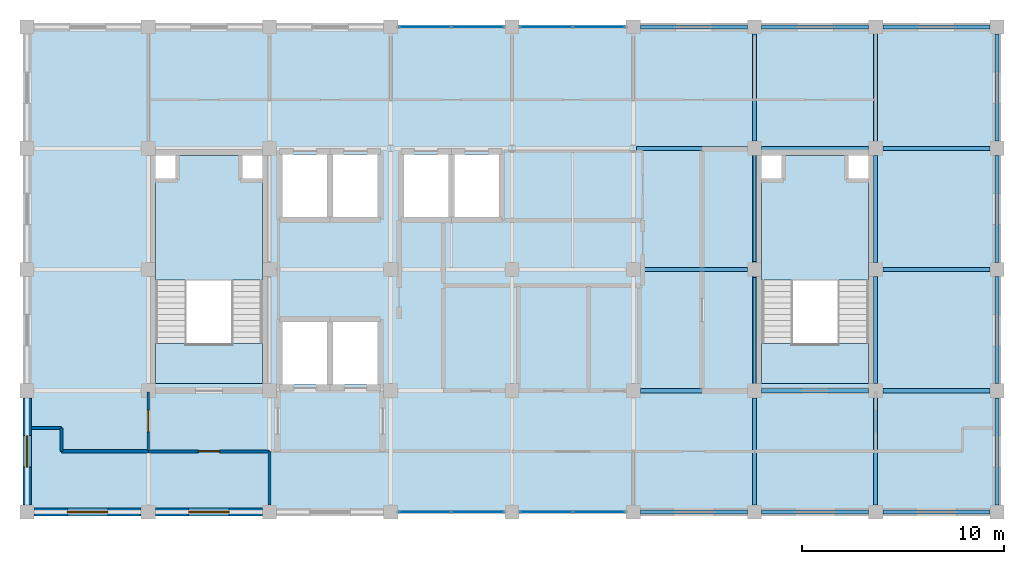
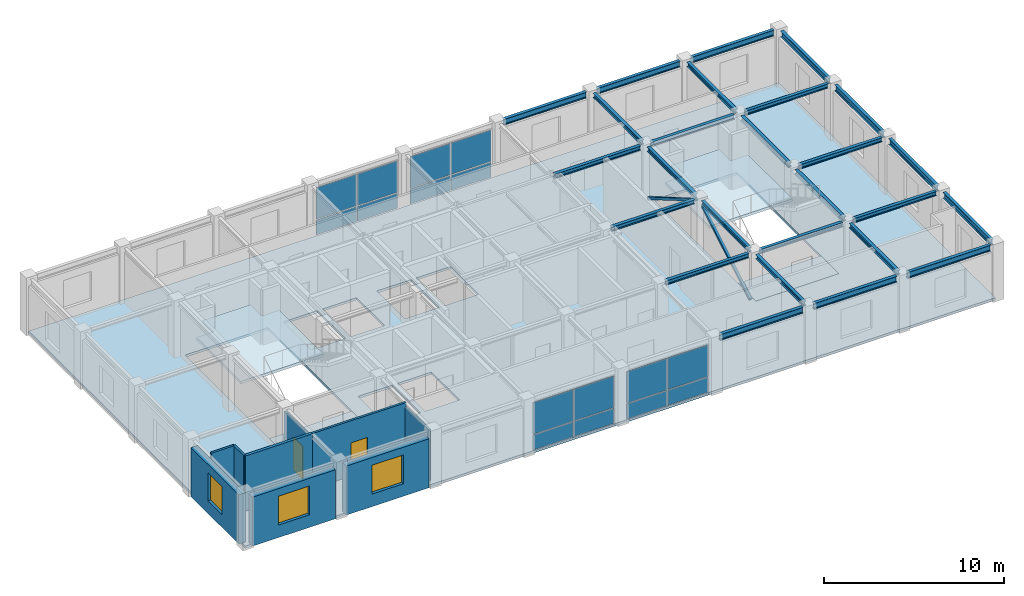
# One storey, part 7 of 11: 26 beams, 16 plates, 9 walls, 5 slabs, 3 windows, 2 doors, 2 members, 5 openings, 6 elements without a shape of their own.
"""IFC4 building model written with IfcOpenShell, lengths in metres."""

import ifcopenshell
import ifcopenshell.guid

model = None  # the IFC model being written
_history = None  # IfcOwnerHistory: only IFC2X3 demands one
_inside = {}  # id of a spatial element -> (the spatial element, [elements in it])
_under = {}  # id of a project, library or spatial element -> (it, [spatial elements below it])
_declared = {}  # id of a project -> (the project, [libraries it declares])
_typed = {}  # id of a type object -> (the type object, [elements of that type])
_made_of = {}  # id of a material, layer set ... -> (it, [elements and type objects made of it])


def new_model(schema):
    """Start an empty IFC model of exactly this schema.

    Asked for "IFC4X3", IfcOpenShell would pick the latest addendum, in which some entities
    have other attributes; the version numbers below select the first issue.
    IFC2X3 requires an IfcOwnerHistory on every rooted entity: one is made here for all.
    """
    global model, _history
    if schema == "IFC4X3":
        model = ifcopenshell.file(schema_version=(4, 3, 0, 0))
    else:
        model = ifcopenshell.file(schema=schema)
    _inside.clear()
    _under.clear()
    _declared.clear()
    _typed.clear()
    _made_of.clear()
    _history = None
    if model.schema == "IFC2X3":
        org = make("IfcOrganization", Name="unknown")
        user = make(
            "IfcPersonAndOrganization",
            ThePerson=make("IfcPerson", FamilyName="unknown"),
            TheOrganization=org,
        )
        app = make(
            "IfcApplication",
            ApplicationDeveloper=org,
            Version="unknown",
            ApplicationFullName="unknown",
            ApplicationIdentifier="unknown",
        )
        _history = make(
            "IfcOwnerHistory",
            OwningUser=user,
            OwningApplication=app,
            ChangeAction="ADDED",
            CreationDate=0,
        )
    return model


def make(cls, **values):
    """One entity of the class cls with the attributes given. An attribute that is None is left unset."""
    return model.create_entity(
        cls, **{name: value for name, value in values.items() if value is not None}
    )


def rooted(cls, **values):
    """An entity with a GlobalId (a new one), such as an element, a storey or a relation."""
    return make(cls, GlobalId=ifcopenshell.guid.new(), OwnerHistory=_history, **values)


def si_unit(unit_type, name, prefix=None):
    """IfcSIUnit, for example si_unit("LENGTHUNIT", "METRE", prefix="MILLI")."""
    return make("IfcSIUnit", UnitType=unit_type, Prefix=prefix, Name=name)


def assignment(units):
    """IfcUnitAssignment: the units of a project."""
    return None if units is None else make("IfcUnitAssignment", Units=units)


def point(xyz):
    """IfcCartesianPoint."""
    return None if xyz is None else make("IfcCartesianPoint", Coordinates=xyz)


def direction(xyz):
    """IfcDirection."""
    return None if xyz is None else make("IfcDirection", DirectionRatios=xyz)


def frame(location, z_axis=None, x_axis=None):
    """IfcAxis2Placement3D, a coordinate frame: its origin and axes. An axis left out is left unset."""
    return make(
        "IfcAxis2Placement3D",
        Location=point(location),
        Axis=direction(z_axis),
        RefDirection=direction(x_axis),
    )


def frame_2d(location, x_axis=None):
    """IfcAxis2Placement2D, a coordinate frame in the plane: its origin and x axis."""
    return make(
        "IfcAxis2Placement2D", Location=point(location), RefDirection=direction(x_axis)
    )


def origin():
    """The frame at (0, 0, 0) with its axes left unset."""
    return frame((0.0, 0.0, 0.0))


def origin_2d():
    """The frame at (0, 0) in the plane with its x axis left unset."""
    return frame_2d((0.0, 0.0))


def place(relative_to, where):
    """IfcLocalPlacement: puts the frame where relative to a parent placement (None: the world)."""
    return make(
        "IfcLocalPlacement", PlacementRelTo=relative_to, RelativePlacement=where
    )


def context(
    kind, dimensions, precision=None, world=None, true_north=None, identifier=None
):
    """IfcGeometricRepresentationContext, for example the 3D "Model" context."""
    return make(
        "IfcGeometricRepresentationContext",
        ContextIdentifier=identifier,
        ContextType=kind,
        CoordinateSpaceDimension=dimensions,
        Precision=precision,
        WorldCoordinateSystem=world,
        TrueNorth=true_north,
    )


def subcontext(parent, identifier, kind, view, scale=None):
    """IfcGeometricRepresentationSubContext, for example "Body" below "Model"."""
    return make(
        "IfcGeometricRepresentationSubContext",
        ContextIdentifier=identifier,
        ContextType=kind,
        ParentContext=parent,
        TargetScale=scale,
        TargetView=view,
    )


def project(units=None, contexts=None):
    """IfcProject with its units and contexts."""
    return rooted(
        "IfcProject",
        Name="project",
        RepresentationContexts=contexts,
        UnitsInContext=assignment(units),
    )


def spatial(cls, under=None, at=None, **own):
    """A site, building, storey or space (cls), placed at a placement, below another one or the project."""
    s = rooted(cls, ObjectPlacement=at, **own)
    if under is not None:
        _under.setdefault(under.id(), (under, []))[1].append(s)
    return s


def polyline(points):
    """IfcPolyline through the points."""
    return make("IfcPolyline", Points=[point(p) for p in points])


def profile(cls, at=None, kind="AREA", **sizes):
    """A parametric profile (cls). Its sizes go by their IFC names, for example OverallWidth=200.0."""
    return make(cls, ProfileType=kind, Position=at, **sizes)


def rectangle(**sizes):
    """IfcRectangleProfileDef."""
    return profile("IfcRectangleProfileDef", **sizes)


def hollow_rectangle(**sizes):
    """IfcRectangleHollowProfileDef."""
    return profile("IfcRectangleHollowProfileDef", **sizes)


def i_section(**sizes):
    """IfcIShapeProfileDef."""
    return profile("IfcIShapeProfileDef", **sizes)


def outline(outer, holes=None, kind="AREA"):
    """IfcArbitraryClosedProfileDef: a profile drawn as a closed curve; with holes, ...WithVoids."""
    if holes is None:
        return make("IfcArbitraryClosedProfileDef", ProfileType=kind, OuterCurve=outer)
    return make(
        "IfcArbitraryProfileDefWithVoids",
        ProfileType=kind,
        OuterCurve=outer,
        InnerCurves=holes,
    )


def extrude(swept, where, along, depth):
    """IfcExtrudedAreaSolid: the profile swept, set in the frame where, extruded along a direction by depth."""
    return make(
        "IfcExtrudedAreaSolid",
        SweptArea=swept,
        Position=where,
        ExtrudedDirection=direction(along),
        Depth=depth,
    )


def shape(context_of_items, identifier, shape_type, items):
    """IfcShapeRepresentation: the items that make up one representation, for example the "Body"."""
    return make(
        "IfcShapeRepresentation",
        ContextOfItems=context_of_items,
        RepresentationIdentifier=identifier,
        RepresentationType=shape_type,
        Items=items,
    )


def material(Name=None, Category=None):
    """IfcMaterial."""
    return make("IfcMaterial", Name=Name, Category=Category)


def layer(
    of_material, thickness, ventilated=None, Name=None, Category=None, Priority=None
):
    """IfcMaterialLayer: one layer of a wall or slab, of a material (None: an air gap)."""
    return make(
        "IfcMaterialLayer",
        Material=of_material,
        LayerThickness=thickness,
        IsVentilated=ventilated,
        Name=Name,
        Category=Category,
        Priority=Priority,
    )


def layer_set(layers, Name=None):
    """IfcMaterialLayerSet."""
    return make("IfcMaterialLayerSet", MaterialLayers=layers, LayerSetName=Name)


def material_profile(
    of_material, cross_section, Name=None, Category=None, Priority=None
):
    """IfcMaterialProfile: a cross section and its material."""
    return make(
        "IfcMaterialProfile",
        Name=Name,
        Material=of_material,
        Profile=cross_section,
        Priority=Priority,
        Category=Category,
    )


def profile_set(profiles, Name=None, composite=None):
    """IfcMaterialProfileSet."""
    return make(
        "IfcMaterialProfileSet",
        Name=Name,
        MaterialProfiles=profiles,
        CompositeProfile=composite,
    )


def made_of(thing, what):
    """Note that an element or type object is made of a material, layer set ...; save() writes the relation."""
    if what is not None:
        _made_of.setdefault(what.id(), (what, []))[1].append(thing)
    return thing


def type_object(cls, material=None, **own):
    """A type object (cls), such as IfcWallType, which elements share."""
    return made_of(rooted(cls, **own), material)


def element(
    cls,
    number,
    at=None,
    inside=None,
    cuts=None,
    type_object=None,
    material=None,
    context=None,
    identifier="Body",
    shape_type=None,
    held_by="IfcProductDefinitionShape",
    body=None,
    shapes=None,
    **own,
):
    """One element of the class cls, such as IfcWall. Its Tag is "e" and its number.

    at: its placement. inside: the storey or other place that contains it. cuts: it is an
    opening in that element (IfcRelVoidsElement). A single representation is given by context,
    identifier, shape_type and body (its items); several are given by shapes. held_by: the class
    of the entity that holds the representations. save() writes the other relations.
    """
    e = rooted(cls, Tag="e%d" % number, ObjectPlacement=at, **own)
    if body is not None:
        shapes = [shape(context, identifier, shape_type, body)]
    if shapes is not None:
        e.Representation = make(held_by, Representations=shapes)
    if inside is not None:
        _inside.setdefault(inside.id(), (inside, []))[1].append(e)
    if cuts is not None:
        rooted(
            "IfcRelVoidsElement", RelatingBuildingElement=cuts, RelatedOpeningElement=e
        )
    if type_object is not None:
        _typed.setdefault(type_object.id(), (type_object, []))[1].append(e)
    return made_of(e, material)


def fill(opening, filler):
    """IfcRelFillsElement: the door or window that sits in an opening."""
    return rooted(
        "IfcRelFillsElement",
        RelatingOpeningElement=opening,
        RelatedBuildingElement=filler,
    )


def aggregate(whole, parts):
    """IfcRelAggregates: a whole, such as a stair, and the parts it consists of."""
    return rooted("IfcRelAggregates", RelatingObject=whole, RelatedObjects=parts)


def save(model, path):
    """Write the relations noted so far, then the file.

    IfcRelAggregates (storeys below a building ...), IfcRelContainedInSpatialStructure (elements
    in a storey), IfcRelDefinesByType, IfcRelAssociatesMaterial and IfcRelDeclares: one each for
    every whole, place, type object, material and project.
    """
    for whole, parts in _under.values():
        aggregate(whole, parts)
    for where, things in _inside.values():
        rooted(
            "IfcRelContainedInSpatialStructure",
            RelatedElements=things,
            RelatingStructure=where,
        )
    for kind, things in _typed.values():
        rooted("IfcRelDefinesByType", RelatedObjects=things, RelatingType=kind)
    for what, things in _made_of.values():
        rooted("IfcRelAssociatesMaterial", RelatedObjects=things, RelatingMaterial=what)
    for by, libraries in _declared.values():
        rooted("IfcRelDeclares", RelatingContext=by, RelatedDefinitions=libraries)
    model.write(path)


model = new_model("IFC4")

# Units and contexts
model_context = context("Model", 3, precision=1e-05, world=origin(), true_north=direction((0.0, 1.0)))
body_context = subcontext(model_context, "Body", "Model", "MODEL_VIEW")
ifc_project = project(units=[si_unit("LENGTHUNIT", "METRE"), si_unit("AREAUNIT", "SQUARE_METRE"), si_unit("VOLUMEUNIT", "CUBIC_METRE"), si_unit("PLANEANGLEUNIT", "RADIAN"), si_unit("MASSUNIT", "GRAM", prefix="KILO")], contexts=[model_context])

# Site, building, storey
site_placement = place(None, origin())
site = spatial("IfcSite", under=ifc_project, at=site_placement, CompositionType="ELEMENT")
building_placement = place(site_placement, origin())
building = spatial("IfcBuilding", under=site, at=building_placement, Name="Zlatovratsky Civic Hall", CompositionType="ELEMENT")
storey_placement = place(building_placement, frame((0.0, 0.0, 60.0)))
storey = spatial("IfcBuildingStorey", under=building, at=storey_placement, Name="L15", CompositionType="ELEMENT", Elevation=60.0)

# Beams
ifc_material_1 = material(Name="Steel S355", Category="steel")
ifc_material_profile_1 = material_profile(ifc_material_1, i_section(OverallWidth=0.199951171875, OverallDepth=0.39990234375, WebThickness=0.008056640625, FlangeThickness=0.012939453125, FilletRadius=0.014892578125, at=origin_2d()), Name="40B2")
ifc_profile_set_1 = profile_set([ifc_material_profile_1], Name="Steel S355")
beam_type_1 = type_object("IfcBeamType", Name="Beam_Spandrel_40B2", PredefinedType="SPANDREL", material=ifc_profile_set_1)
for number, where, z_axis, x_axis, name in (
    (1, (90.35009765625, 78.0, 3.5400390625), (1.0, 0.0, 0.0), (0.0, 1.0, 0.0), "BM-5046"),
    (2, (96.35009765625, 78.0, 3.5400390625), (1.0, 0.0, 0.0), (0.0, 1.0, 0.0), "BM-5047"),
    (3, (102.35009765625, 78.0, 3.5400390625), (1.0, 0.0, 0.0), (0.0, 1.0, 0.0), "BM-5048"),
    (4, (90.35009765625, 102.0, 3.5400390625), (1.0, 0.0, 0.0), (0.0, 1.0, 0.0), "BM-5076"),
    (5, (96.35009765625, 102.0, 3.5400390625), (1.0, 0.0, 0.0), (0.0, 1.0, 0.0), "BM-5077"),
    (6, (102.35009765625, 102.0, 3.5400390625), (1.0, 0.0, 0.0), (0.0, 1.0, 0.0), "BM-5078"),
    (7, (108.0, 78.35009765625, 3.5400390625), (0.0, 1.0, 0.0), (-1.0, 0.0, 0.0), "BM-5111"),
    (8, (108.0, 84.35009765625, 3.5400390625), (0.0, 1.0, 0.0), (-1.0, 0.0, 0.0), "BM-5112"),
    (9, (108.0, 90.35009765625, 3.5400390625), (0.0, 1.0, 0.0), (-1.0, 0.0, 0.0), "BM-5113"),
    (10, (108.0, 96.35009765625, 3.5400390625), (0.0, 1.0, 0.0), (-1.0, 0.0, 0.0), "BM-5114"),
):
    element("IfcBeam", number, at=place(storey_placement, frame(where, z_axis=z_axis, x_axis=x_axis)), inside=storey, type_object=beam_type_1, Name=name, PredefinedType="SPANDREL", context=body_context, shape_type="SweptSolid", body=[
        extrude(i_section(OverallWidth=0.199951171875, OverallDepth=0.39990234375, WebThickness=0.008056640625, FlangeThickness=0.012939453125, FilletRadius=0.014892578125, at=origin_2d()), origin(), (0.0, 0.0, 1.0), 5.2998046875),
    ])
ifc_material_profile_2 = material_profile(ifc_material_1, i_section(OverallWidth=0.199951171875, OverallDepth=0.291015625, WebThickness=0.008056640625, FlangeThickness=0.010986328125, FilletRadius=0.01806640625, at=origin_2d()), Name="30Sh1")
ifc_profile_set_2 = profile_set([ifc_material_profile_2], Name="Steel S355")
beam_type_2 = type_object("IfcBeamType", Name="Beam_TowerHigh_30Sh1", PredefinedType="BEAM", material=ifc_profile_set_2)
for number, where, z_axis, x_axis, name in (
    (11, (90.35009765625, 84.0, 3.594482421875), (1.0, 0.0, 0.0), (0.0, 1.0, 0.0), "BM-5054"),
    (12, (96.35009765625, 84.0, 3.594482421875), (1.0, 0.0, 0.0), (0.0, 1.0, 0.0), "BM-5055"),
    (13, (102.35009765625, 84.0, 3.594482421875), (1.0, 0.0, 0.0), (0.0, 1.0, 0.0), "BM-5056"),
    (14, (90.35009765625, 90.0, 3.594482421875), (1.0, 0.0, 0.0), (0.0, 1.0, 0.0), "BM-5061"),
    (15, (102.35009765625, 90.0, 3.594482421875), (1.0, 0.0, 0.0), (0.0, 1.0, 0.0), "BM-5062"),
):
    element("IfcBeam", number, at=place(storey_placement, frame(where, z_axis=z_axis, x_axis=x_axis)), inside=storey, type_object=beam_type_2, Name=name, PredefinedType="BEAM", context=body_context, shape_type="SweptSolid", body=[
        extrude(i_section(OverallWidth=0.199951171875, OverallDepth=0.291015625, WebThickness=0.008056640625, FlangeThickness=0.010986328125, FilletRadius=0.01806640625, at=origin_2d()), origin(), (0.0, 0.0, 1.0), 5.2998046875),
    ])
beam_placement = place(storey_placement, frame((90.1494140625, 96.0, 3.594482421875), z_axis=(1.0, 0.0, 0.0), x_axis=(0.0, 1.0, 0.0)))
element("IfcBeam", 16, at=beam_placement, inside=storey, type_object=beam_type_2, Name="BM-5068", PredefinedType="BEAM", context=body_context, shape_type="SweptSolid", body=[
    extrude(i_section(OverallWidth=0.199951171875, OverallDepth=0.291015625, WebThickness=0.008056640625, FlangeThickness=0.010986328125, FilletRadius=0.01806640625, at=origin_2d()), origin(), (0.0, 0.0, 1.0), 5.50048828125),
])
for number, where, z_axis, x_axis, name in (
    (17, (96.35009765625, 96.0, 3.594482421875), (1.0, 0.0, 0.0), (0.0, 1.0, 0.0), "BM-5069"),
    (18, (102.35009765625, 96.0, 3.594482421875), (1.0, 0.0, 0.0), (0.0, 1.0, 0.0), "BM-5070"),
    (19, (96.0, 78.35009765625, 3.594482421875), (0.0, 1.0, 0.0), (-1.0, 0.0, 0.0), "BM-5103"),
    (20, (96.0, 84.35009765625, 3.594482421875), (0.0, 1.0, 0.0), (-1.0, 0.0, 0.0), "BM-5104"),
    (21, (96.0, 90.35009765625, 3.594482421875), (0.0, 1.0, 0.0), (-1.0, 0.0, 0.0), "BM-5105"),
    (22, (96.0, 96.35009765625, 3.594482421875), (0.0, 1.0, 0.0), (-1.0, 0.0, 0.0), "BM-5106"),
    (23, (102.0, 78.35009765625, 3.594482421875), (0.0, 1.0, 0.0), (-1.0, 0.0, 0.0), "BM-5107"),
    (24, (102.0, 84.35009765625, 3.594482421875), (0.0, 1.0, 0.0), (-1.0, 0.0, 0.0), "BM-5108"),
    (25, (102.0, 90.35009765625, 3.594482421875), (0.0, 1.0, 0.0), (-1.0, 0.0, 0.0), "BM-5109"),
    (26, (102.0, 96.35009765625, 3.594482421875), (0.0, 1.0, 0.0), (-1.0, 0.0, 0.0), "BM-5110"),
):
    element("IfcBeam", number, at=place(storey_placement, frame(where, z_axis=z_axis, x_axis=x_axis)), inside=storey, type_object=beam_type_2, Name=name, PredefinedType="BEAM", context=body_context, shape_type="SweptSolid", body=[
        extrude(i_section(OverallWidth=0.199951171875, OverallDepth=0.291015625, WebThickness=0.008056640625, FlangeThickness=0.010986328125, FilletRadius=0.01806640625, at=origin_2d()), origin(), (0.0, 0.0, 1.0), 5.2998046875),
    ])

# Members
ifc_material_profile_3 = material_profile(ifc_material_1, hollow_rectangle(XDim=0.159912109375, YDim=0.159912109375, WallThickness=0.008056640625, at=origin_2d()), Name="SHS 160x160x8")
ifc_profile_set_3 = profile_set([ifc_material_profile_3], Name="Steel S355")
member_type = type_object("IfcMemberType", Name="Brace_TowerHigh_SHS160", PredefinedType="BRACE", material=ifc_profile_set_3)
for number, where, z_axis, x_axis, name in (
    (27, (96.0, 84.35009765625, 0.25), (0.0, 0.863172562464, 0.504909028845), (-1.0, 0.0, 0.0), "MB-0166"),
    (28, (96.0, 90.35009765625, 3.35009765625), (0.0, 0.863172562464, -0.504909028845), (-1.0, 0.0, 0.0), "MB-0167"),
):
    element("IfcMember", number, at=place(storey_placement, frame(where, z_axis=z_axis, x_axis=x_axis)), inside=storey, type_object=member_type, Name=name, PredefinedType="BRACE", context=body_context, shape_type="SweptSolid", body=[
        extrude(hollow_rectangle(XDim=0.159912109375, YDim=0.159912109375, WallThickness=0.008056640625, at=origin_2d()), origin(), (0.0, 0.0, 1.0), 6.139892578125),
    ])

# Curtain wall, plates
ifc_material_2 = material(Name="Anodised bronze aluminium", Category="aluminium")
ifc_layer_1 = layer(ifc_material_2, 0.159912109375)
ifc_layer_set_1 = layer_set([ifc_layer_1], Name="Anodised bronze aluminium")
curtain_wall_type = type_object("IfcCurtainWallType", Name="CurtainWall_Bronze_5300x3320_21", PredefinedType="NOTDEFINED", material=ifc_layer_set_1)
curtain_wall_1_placement = place(storey_placement, origin())
curtain_wall_1 = element("IfcCurtainWall", 29, at=curtain_wall_1_placement, inside=storey, type_object=curtain_wall_type, Name="CW-169", PredefinedType="NOTDEFINED")
ifc_material_3 = material(Name="Solar-control triple glazing", Category="glass")
ifc_layer_2 = layer(ifc_material_3, 0.028076171875)
ifc_layer_set_2 = layer_set([ifc_layer_2], Name="Solar-control triple glazing")
plate_type = type_object("IfcPlateType", Name="Panel_TowerTripleGlazing_28", PredefinedType="CURTAIN_PANEL", material=ifc_layer_set_2)
plate_1_placement = place(storey_placement, frame((79.68994140625, 78.0, 0.06005859375), z_axis=(0.0, 0.0, 1.0), x_axis=(1.0, 0.0, 0.0)))
plate_1 = element("IfcPlate", 30, at=plate_1_placement, type_object=plate_type, Name="CW-21 panel 1.1", PredefinedType="CURTAIN_PANEL", context=body_context, shape_type="SweptSolid", body=[
    extrude(rectangle(XDim=2.56005859375, YDim=0.028076171875, at=origin_2d()), origin(), (0.0, 0.0, 1.0), 1.010009765625),
])
plate_2_placement = place(storey_placement, frame((79.68994140625, 78.0, 1.130126953125), z_axis=(0.0, 0.0, 1.0), x_axis=(1.0, 0.0, 0.0)))
plate_2 = element("IfcPlate", 31, at=plate_2_placement, type_object=plate_type, Name="CW-21 panel 1.2", PredefinedType="CURTAIN_PANEL", context=body_context, shape_type="SweptSolid", body=[
    extrude(rectangle(XDim=2.56005859375, YDim=0.028076171875, at=origin_2d()), origin(), (0.0, 0.0, 1.0), 2.1298828125),
])
plate_3_placement = place(storey_placement, frame((82.31005859375, 78.0, 0.06005859375), z_axis=(0.0, 0.0, 1.0), x_axis=(1.0, 0.0, 0.0)))
plate_3 = element("IfcPlate", 32, at=plate_3_placement, type_object=plate_type, Name="CW-21 panel 2.1", PredefinedType="CURTAIN_PANEL", context=body_context, shape_type="SweptSolid", body=[
    extrude(rectangle(XDim=2.56005859375, YDim=0.028076171875, at=origin_2d()), origin(), (0.0, 0.0, 1.0), 1.010009765625),
])
plate_4_placement = place(storey_placement, frame((82.31005859375, 78.0, 1.130126953125), z_axis=(0.0, 0.0, 1.0), x_axis=(1.0, 0.0, 0.0)))
plate_4 = element("IfcPlate", 33, at=plate_4_placement, type_object=plate_type, Name="CW-21 panel 2.2", PredefinedType="CURTAIN_PANEL", context=body_context, shape_type="SweptSolid", body=[
    extrude(rectangle(XDim=2.56005859375, YDim=0.028076171875, at=origin_2d()), origin(), (0.0, 0.0, 1.0), 2.1298828125),
])
aggregate(curtain_wall_1, [plate_1, plate_2, plate_3, plate_4])

curtain_wall_2_placement = place(storey_placement, origin())
curtain_wall_2 = element("IfcCurtainWall", 34, at=curtain_wall_2_placement, inside=storey, type_object=curtain_wall_type, Name="CW-170", PredefinedType="NOTDEFINED")
plate_5_placement = place(storey_placement, frame((85.68994140625, 78.0, 0.06005859375), z_axis=(0.0, 0.0, 1.0), x_axis=(1.0, 0.0, 0.0)))
plate_5 = element("IfcPlate", 35, at=plate_5_placement, type_object=plate_type, Name="CW-21 panel 1.1", PredefinedType="CURTAIN_PANEL", context=body_context, shape_type="SweptSolid", body=[
    extrude(rectangle(XDim=2.56005859375, YDim=0.028076171875, at=origin_2d()), origin(), (0.0, 0.0, 1.0), 1.010009765625),
])
plate_6_placement = place(storey_placement, frame((85.68994140625, 78.0, 1.130126953125), z_axis=(0.0, 0.0, 1.0), x_axis=(1.0, 0.0, 0.0)))
plate_6 = element("IfcPlate", 36, at=plate_6_placement, type_object=plate_type, Name="CW-21 panel 1.2", PredefinedType="CURTAIN_PANEL", context=body_context, shape_type="SweptSolid", body=[
    extrude(rectangle(XDim=2.56005859375, YDim=0.028076171875, at=origin_2d()), origin(), (0.0, 0.0, 1.0), 2.1298828125),
])
plate_7_placement = place(storey_placement, frame((88.31005859375, 78.0, 0.06005859375), z_axis=(0.0, 0.0, 1.0), x_axis=(1.0, 0.0, 0.0)))
plate_7 = element("IfcPlate", 37, at=plate_7_placement, type_object=plate_type, Name="CW-21 panel 2.1", PredefinedType="CURTAIN_PANEL", context=body_context, shape_type="SweptSolid", body=[
    extrude(rectangle(XDim=2.56005859375, YDim=0.028076171875, at=origin_2d()), origin(), (0.0, 0.0, 1.0), 1.010009765625),
])
plate_8_placement = place(storey_placement, frame((88.31005859375, 78.0, 1.130126953125), z_axis=(0.0, 0.0, 1.0), x_axis=(1.0, 0.0, 0.0)))
plate_8 = element("IfcPlate", 38, at=plate_8_placement, type_object=plate_type, Name="CW-21 panel 2.2", PredefinedType="CURTAIN_PANEL", context=body_context, shape_type="SweptSolid", body=[
    extrude(rectangle(XDim=2.56005859375, YDim=0.028076171875, at=origin_2d()), origin(), (0.0, 0.0, 1.0), 2.1298828125),
])
aggregate(curtain_wall_2, [plate_5, plate_6, plate_7, plate_8])

curtain_wall_3_placement = place(storey_placement, origin())
curtain_wall_3 = element("IfcCurtainWall", 39, at=curtain_wall_3_placement, inside=storey, type_object=curtain_wall_type, Name="CW-171", PredefinedType="NOTDEFINED")
plate_9_placement = place(storey_placement, frame((79.68994140625, 102.0, 0.06005859375), z_axis=(0.0, 0.0, 1.0), x_axis=(1.0, 0.0, 0.0)))
plate_9 = element("IfcPlate", 40, at=plate_9_placement, type_object=plate_type, Name="CW-21 panel 1.1", PredefinedType="CURTAIN_PANEL", context=body_context, shape_type="SweptSolid", body=[
    extrude(rectangle(XDim=2.56005859375, YDim=0.028076171875, at=origin_2d()), origin(), (0.0, 0.0, 1.0), 1.010009765625),
])
plate_10_placement = place(storey_placement, frame((79.68994140625, 102.0, 1.130126953125), z_axis=(0.0, 0.0, 1.0), x_axis=(1.0, 0.0, 0.0)))
plate_10 = element("IfcPlate", 41, at=plate_10_placement, type_object=plate_type, Name="CW-21 panel 1.2", PredefinedType="CURTAIN_PANEL", context=body_context, shape_type="SweptSolid", body=[
    extrude(rectangle(XDim=2.56005859375, YDim=0.028076171875, at=origin_2d()), origin(), (0.0, 0.0, 1.0), 2.1298828125),
])
plate_11_placement = place(storey_placement, frame((82.31005859375, 102.0, 0.06005859375), z_axis=(0.0, 0.0, 1.0), x_axis=(1.0, 0.0, 0.0)))
plate_11 = element("IfcPlate", 42, at=plate_11_placement, type_object=plate_type, Name="CW-21 panel 2.1", PredefinedType="CURTAIN_PANEL", context=body_context, shape_type="SweptSolid", body=[
    extrude(rectangle(XDim=2.56005859375, YDim=0.028076171875, at=origin_2d()), origin(), (0.0, 0.0, 1.0), 1.010009765625),
])
plate_12_placement = place(storey_placement, frame((82.31005859375, 102.0, 1.130126953125), z_axis=(0.0, 0.0, 1.0), x_axis=(1.0, 0.0, 0.0)))
plate_12 = element("IfcPlate", 43, at=plate_12_placement, type_object=plate_type, Name="CW-21 panel 2.2", PredefinedType="CURTAIN_PANEL", context=body_context, shape_type="SweptSolid", body=[
    extrude(rectangle(XDim=2.56005859375, YDim=0.028076171875, at=origin_2d()), origin(), (0.0, 0.0, 1.0), 2.1298828125),
])
aggregate(curtain_wall_3, [plate_9, plate_10, plate_11, plate_12])

curtain_wall_4_placement = place(storey_placement, origin())
curtain_wall_4 = element("IfcCurtainWall", 44, at=curtain_wall_4_placement, inside=storey, type_object=curtain_wall_type, Name="CW-172", PredefinedType="NOTDEFINED")
plate_13_placement = place(storey_placement, frame((85.68994140625, 102.0, 0.06005859375), z_axis=(0.0, 0.0, 1.0), x_axis=(1.0, 0.0, 0.0)))
plate_13 = element("IfcPlate", 45, at=plate_13_placement, type_object=plate_type, Name="CW-21 panel 1.1", PredefinedType="CURTAIN_PANEL", context=body_context, shape_type="SweptSolid", body=[
    extrude(rectangle(XDim=2.56005859375, YDim=0.028076171875, at=origin_2d()), origin(), (0.0, 0.0, 1.0), 1.010009765625),
])
plate_14_placement = place(storey_placement, frame((85.68994140625, 102.0, 1.130126953125), z_axis=(0.0, 0.0, 1.0), x_axis=(1.0, 0.0, 0.0)))
plate_14 = element("IfcPlate", 46, at=plate_14_placement, type_object=plate_type, Name="CW-21 panel 1.2", PredefinedType="CURTAIN_PANEL", context=body_context, shape_type="SweptSolid", body=[
    extrude(rectangle(XDim=2.56005859375, YDim=0.028076171875, at=origin_2d()), origin(), (0.0, 0.0, 1.0), 2.1298828125),
])
plate_15_placement = place(storey_placement, frame((88.31005859375, 102.0, 0.06005859375), z_axis=(0.0, 0.0, 1.0), x_axis=(1.0, 0.0, 0.0)))
plate_15 = element("IfcPlate", 47, at=plate_15_placement, type_object=plate_type, Name="CW-21 panel 2.1", PredefinedType="CURTAIN_PANEL", context=body_context, shape_type="SweptSolid", body=[
    extrude(rectangle(XDim=2.56005859375, YDim=0.028076171875, at=origin_2d()), origin(), (0.0, 0.0, 1.0), 1.010009765625),
])
plate_16_placement = place(storey_placement, frame((88.31005859375, 102.0, 1.130126953125), z_axis=(0.0, 0.0, 1.0), x_axis=(1.0, 0.0, 0.0)))
plate_16 = element("IfcPlate", 48, at=plate_16_placement, type_object=plate_type, Name="CW-21 panel 2.2", PredefinedType="CURTAIN_PANEL", context=body_context, shape_type="SweptSolid", body=[
    extrude(rectangle(XDim=2.56005859375, YDim=0.028076171875, at=origin_2d()), origin(), (0.0, 0.0, 1.0), 2.1298828125),
])
aggregate(curtain_wall_4, [plate_13, plate_14, plate_15, plate_16])

# Slabs
ifc_material_4 = material(Name="Concrete C30/37 (B35)", Category="concrete")
ifc_layer_3 = layer(ifc_material_4, 0.239990234375)
ifc_layer_set_3 = layer_set([ifc_layer_3], Name="Concrete C30/37 (B35)")
slab_type_1 = type_object("IfcSlabType", Name="Slab_CivicPodiumFloor_240", PredefinedType="FLOOR", material=ifc_layer_set_3)
slab_1_placement = place(storey_placement, frame((0.0, 0.0, -0.239990234375)))
element("IfcSlab", 49, at=slab_1_placement, inside=storey, type_object=slab_type_1, Name="SL-081", PredefinedType="FLOOR", context=body_context, shape_type="SweptSolid", body=[
    extrude(outline(polyline([(66.35009765625, 84.35009765625), (71.64990234375, 84.35009765625), (71.64990234375, 86.35009765625), (66.35009765625, 86.35009765625), (66.35009765625, 84.35009765625)])), origin(), (0.0, 0.0, 1.0), 0.239990234375),
])
slab_2_placement = place(storey_placement, frame((0.0, 0.0, -0.239990234375)))
element("IfcSlab", 50, at=slab_2_placement, inside=storey, type_object=slab_type_1, Name="SL-082", PredefinedType="FLOOR", context=body_context, shape_type="SweptSolid", body=[
    extrude(outline(polyline([(96.35009765625, 84.35009765625), (101.64990234375, 84.35009765625), (101.64990234375, 86.35009765625), (96.35009765625, 86.35009765625), (96.35009765625, 84.35009765625)])), origin(), (0.0, 0.0, 1.0), 0.239990234375),
])

# Stair, slab
stair_type = type_object("IfcStairType", Name="Stair_HALF_24R_1550W_04", PredefinedType="HALF_TURN_STAIR", material=ifc_material_4)
stair_1_placement = place(storey_placement, origin())
stair_1 = element("IfcStair", 51, at=stair_1_placement, inside=storey, type_object=stair_type, Name="ST-016", PredefinedType="HALF_TURN_STAIR")
ifc_layer_4 = layer(ifc_material_4, 0.179931640625)
ifc_layer_set_4 = layer_set([ifc_layer_4], Name="Concrete C30/37 (B35)")
slab_type_2 = type_object("IfcSlabType", Name="Slab_StairLanding_180", PredefinedType="LANDING", material=ifc_layer_set_4)
slab_3_placement = place(storey_placement, frame((0.0, 0.0, 1.77001953125)))
slab_3 = element("IfcSlab", 52, at=slab_3_placement, type_object=slab_type_2, Name="SL-LD-16", PredefinedType="LANDING", context=body_context, shape_type="SweptSolid", body=[
    extrude(outline(polyline([(66.35009765625, 89.485107421875), (71.64990234375, 89.485107421875), (71.64990234375, 94.39990234375), (70.550048828125, 94.39990234375), (70.550048828125, 95.64990234375), (67.449951171875, 95.64990234375), (67.449951171875, 94.39990234375), (66.35009765625, 94.39990234375), (66.35009765625, 89.485107421875)])), origin(), (0.0, 0.0, 1.0), 0.179931640625),
])
aggregate(stair_1, [slab_3])

stair_2_placement = place(storey_placement, origin())
stair_2 = element("IfcStair", 53, at=stair_2_placement, inside=storey, type_object=stair_type, Name="ST-035", PredefinedType="HALF_TURN_STAIR")
slab_4_placement = place(storey_placement, frame((0.0, 0.0, 1.77001953125)))
slab_4 = element("IfcSlab", 54, at=slab_4_placement, type_object=slab_type_2, Name="SL-LD-35", PredefinedType="LANDING", context=body_context, shape_type="SweptSolid", body=[
    extrude(outline(polyline([(96.35009765625, 89.485107421875), (101.64990234375, 89.485107421875), (101.64990234375, 94.39990234375), (100.550048828125, 94.39990234375), (100.550048828125, 95.64990234375), (97.449951171875, 95.64990234375), (97.449951171875, 94.39990234375), (96.35009765625, 94.39990234375), (96.35009765625, 89.485107421875)])), origin(), (0.0, 0.0, 1.0), 0.179931640625),
])
aggregate(stair_2, [slab_4])

# Slab
ifc_layer_5 = layer(ifc_material_4, 0.159912109375)
ifc_layer_set_5 = layer_set([ifc_layer_5], Name="Concrete C30/37 (B35)")
slab_type_3 = type_object("IfcSlabType", Name="Slab_TowerCompositeFloor_160", PredefinedType="FLOOR", material=ifc_layer_set_5)
slab_5_placement = place(storey_placement, frame((0.0, 0.0, -0.159912109375)))
element("IfcSlab", 55, at=slab_5_placement, inside=storey, type_object=slab_type_3, Name="SL-080", PredefinedType="FLOOR", context=body_context, shape_type="SweptSolid", body=[
    extrude(outline(polyline([(60.0, 78.0), (108.0, 78.0), (108.0, 102.0), (60.0, 102.0), (60.0, 78.0)]), holes=[polyline([(66.35009765625, 84.35009765625), (71.64990234375, 84.35009765625), (71.64990234375, 95.64990234375), (66.35009765625, 95.64990234375), (66.35009765625, 84.35009765625)]), polyline([(96.35009765625, 84.35009765625), (101.64990234375, 84.35009765625), (101.64990234375, 95.64990234375), (96.35009765625, 95.64990234375), (96.35009765625, 84.35009765625)]), polyline([(72.64990234375, 84.300048828125), (74.85009765625, 84.300048828125), (74.85009765625, 87.39990234375), (72.64990234375, 87.39990234375), (72.64990234375, 84.300048828125)]), polyline([(75.14990234375, 84.300048828125), (77.35009765625, 84.300048828125), (77.35009765625, 87.39990234375), (75.14990234375, 87.39990234375), (75.14990234375, 84.300048828125)]), polyline([(72.64990234375, 92.60009765625), (74.85009765625, 92.60009765625), (74.85009765625, 95.699951171875), (72.64990234375, 95.699951171875), (72.64990234375, 92.60009765625)]), polyline([(75.14990234375, 92.60009765625), (77.35009765625, 92.60009765625), (77.35009765625, 95.699951171875), (75.14990234375, 95.699951171875), (75.14990234375, 92.60009765625)]), polyline([(78.64990234375, 92.60009765625), (80.85009765625, 92.60009765625), (80.85009765625, 95.699951171875), (78.64990234375, 95.699951171875), (78.64990234375, 92.60009765625)]), polyline([(81.14990234375, 92.60009765625), (83.35009765625, 92.60009765625), (83.35009765625, 95.699951171875), (81.14990234375, 95.699951171875), (81.14990234375, 92.60009765625)])]), origin(), (0.0, 0.0, 1.0), 0.159912109375),
])

# Wall
ifc_material_5 = material(Name="Acoustic ceramic blockwork", Category="masonry")
ifc_layer_6 = layer(ifc_material_5, 0.179931640625)
ifc_layer_set_6 = layer_set([ifc_layer_6], Name="Acoustic ceramic blockwork")
wall_type_1 = type_object("IfcWallType", Name="Wall_AcousticChamberPartition_180", PredefinedType="PARTITIONING", material=ifc_layer_set_6)
wall_1_placement = place(storey_placement, frame((61.699951171875, 81.0, 0.0), z_axis=(0.0, 0.0, 1.0), x_axis=(1.0, 0.0, 0.0)))
element("IfcWall", 56, at=wall_1_placement, inside=storey, type_object=wall_type_1, Name="WL-6724", PredefinedType="PARTITIONING", context=body_context, shape_type="SweptSolid", body=[
    extrude(rectangle(XDim=4.300048828125, YDim=0.179931640625, at=frame_2d((2.14990234375, 0.0))), origin(), (0.0, 0.0, 1.0), 3.739990234375),
])

# Wall, opening, door
ifc_material_6 = material(Name="Fire-rated gypsum board framing", Category="gypsum")
ifc_layer_7 = layer(ifc_material_6, 0.139892578125)
ifc_layer_set_7 = layer_set([ifc_layer_7], Name="Fire-rated gypsum board framing")
wall_type_2 = type_object("IfcWallType", Name="Wall_OfficePartition_140", PredefinedType="PARTITIONING", material=ifc_layer_set_7)
wall_2_placement = place(storey_placement, frame((66.0, 81.050048828125, 0.0), z_axis=(0.0, 0.0, 1.0), x_axis=(0.0, 1.0, 0.0)))
wall_2 = element("IfcWall", 57, at=wall_2_placement, inside=storey, type_object=wall_type_2, Name="WL-6698", PredefinedType="PARTITIONING", context=body_context, shape_type="SweptSolid", body=[
    extrude(rectangle(XDim=2.89990234375, YDim=0.139892578125, at=frame_2d((1.449951171875, 0.0))), origin(), (0.0, 0.0, 1.0), 3.448974609375),
])
opening_1_placement = place(wall_2_placement, frame((0.925048828125, 0.0, 0.0)))
opening_1 = element("IfcOpeningElement", 58, at=opening_1_placement, cuts=wall_2, Name="Opening D-24", PredefinedType="OPENING", context=body_context, shape_type="SweptSolid", body=[
    extrude(rectangle(XDim=1.050048828125, YDim=2.25, at=frame_2d((0.52490234375, 1.125))), frame((0.0, 0.0849609375, 0.0), z_axis=(0.0, -1.0, 0.0), x_axis=(1.0, 0.0, 0.0)), (0.0, 0.0, 1.0), 0.169677734375),
])
ifc_material_7 = material(Name="Solid oak joinery in steel frame", Category="steel")
door_type = type_object("IfcDoorType", Name="Door_DirectorateOffice_1050x2250", OperationType="NOTDEFINED", PredefinedType="DOOR", material=ifc_material_7)
door_1_placement = place(opening_1_placement, origin())
door_1 = element("IfcDoor", 59, at=door_1_placement, inside=storey, type_object=door_type, Name="DR-5522", OperationType="SINGLE_SWING_RIGHT", OverallHeight=2.25, OverallWidth=1.050048828125, PredefinedType="DOOR", context=body_context, shape_type="SweptSolid", body=[
    extrude(rectangle(XDim=1.050048828125, YDim=2.25, at=frame_2d((0.52490234375, 1.125))), frame((0.0, 0.02490234375, 0.0), z_axis=(0.0, -1.0, 0.0), x_axis=(1.0, 0.0, 0.0)), (0.0, 0.0, 1.0), 0.050048828125),
])
fill(opening_1, door_1)

wall_3_placement = place(storey_placement, frame((66.0, 81.0, 0.0), z_axis=(0.0, 0.0, 1.0), x_axis=(1.0, 0.0, 0.0)))
wall_3 = element("IfcWall", 60, at=wall_3_placement, inside=storey, type_object=wall_type_2, Name="WL-6700", PredefinedType="PARTITIONING", context=body_context, shape_type="SweptSolid", body=[
    extrude(rectangle(XDim=6.0, YDim=0.139892578125, at=frame_2d((3.0, 0.0))), origin(), (0.0, 0.0, 1.0), 3.739990234375),
])
opening_2_placement = place(wall_3_placement, frame((2.47509765625, 0.0, 0.0)))
opening_2 = element("IfcOpeningElement", 61, at=opening_2_placement, cuts=wall_3, Name="Opening D-24", PredefinedType="OPENING", context=body_context, shape_type="SweptSolid", body=[
    extrude(rectangle(XDim=1.050048828125, YDim=2.25, at=frame_2d((0.52490234375, 1.125))), frame((0.0, 0.0849609375, 0.0), z_axis=(0.0, -1.0, 0.0), x_axis=(1.0, 0.0, 0.0)), (0.0, 0.0, 1.0), 0.169677734375),
])
door_2_placement = place(opening_2_placement, origin())
door_2 = element("IfcDoor", 62, at=door_2_placement, inside=storey, type_object=door_type, Name="DR-5524", OperationType="SINGLE_SWING_RIGHT", OverallHeight=2.25, OverallWidth=1.050048828125, PredefinedType="DOOR", context=body_context, shape_type="SweptSolid", body=[
    extrude(rectangle(XDim=1.050048828125, YDim=2.25, at=frame_2d((0.52490234375, 1.125))), frame((0.0, 0.02490234375, 0.0), z_axis=(0.0, -1.0, 0.0), x_axis=(1.0, 0.0, 0.0)), (0.0, 0.0, 1.0), 0.050048828125),
])
fill(opening_2, door_2)

# Walls
wall_4_placement = place(storey_placement, frame((72.0, 78.35009765625, 0.0), z_axis=(0.0, 0.0, 1.0), x_axis=(0.0, 1.0, 0.0)))
element("IfcWall", 63, at=wall_4_placement, inside=storey, type_object=wall_type_2, Name="WL-6711", PredefinedType="PARTITIONING", context=body_context, shape_type="SweptSolid", body=[
    extrude(rectangle(XDim=2.64990234375, YDim=0.139892578125, at=frame_2d((1.324951171875, 0.0))), origin(), (0.0, 0.0, 1.0), 3.448974609375),
])
wall_5_placement = place(storey_placement, frame((61.699951171875, 81.0, 0.0), z_axis=(0.0, 0.0, 1.0), x_axis=(0.0, 1.0, 0.0)))
element("IfcWall", 64, at=wall_5_placement, inside=storey, type_object=wall_type_2, Name="WL-6727", PredefinedType="PARTITIONING", context=body_context, shape_type="SweptSolid", body=[
    extrude(rectangle(XDim=1.14990234375, YDim=0.139892578125, at=frame_2d((0.574951171875, 0.0))), origin(), (0.0, 0.0, 1.0), 3.739990234375),
])
wall_6_placement = place(storey_placement, frame((61.699951171875, 82.14990234375, 0.0), z_axis=(0.0, 0.0, 1.0), x_axis=(-1.0, 0.0, 0.0)))
element("IfcWall", 65, at=wall_6_placement, inside=storey, type_object=wall_type_2, Name="WL-6728", PredefinedType="PARTITIONING", context=body_context, shape_type="SweptSolid", body=[
    extrude(rectangle(XDim=1.489990234375, YDim=0.139892578125, at=frame_2d((0.7451171875, 0.0))), origin(), (0.0, 0.0, 1.0), 3.739990234375),
])

# Wall, opening, window
ifc_layer_8 = layer(ifc_material_5, 0.280029296875, Name="Backing")
ifc_material_8 = material(Name="Podolsk limestone ashlar", Category="masonry")
ifc_layer_9 = layer(ifc_material_8, 0.139892578125, Name="Finish")
ifc_layer_set_8 = layer_set([ifc_layer_8, ifc_layer_9], Name="Acoustic ceramic blockwork")
wall_type_3 = type_object("IfcWallType", Name="Wall_TowerLimestoneAshlar_420", PredefinedType="SOLIDWALL", material=ifc_layer_set_8)
wall_7_placement = place(storey_placement, frame((60.35009765625, 78.0, 0.0), z_axis=(0.0, 0.0, 1.0), x_axis=(1.0, 0.0, 0.0)))
wall_7 = element("IfcWall", 66, at=wall_7_placement, inside=storey, type_object=wall_type_3, Name="WL-0629", PredefinedType="SOLIDWALL", context=body_context, shape_type="SweptSolid", body=[
    extrude(rectangle(XDim=5.2998046875, YDim=0.419921875, at=frame_2d((2.64990234375, 0.0))), origin(), (0.0, 0.0, 1.0), 3.320068359375),
])
opening_3_placement = place(wall_7_placement, frame((1.64990234375, 0.0, 0.85009765625)))
opening_3 = element("IfcOpeningElement", 67, at=opening_3_placement, cuts=wall_7, Name="Opening WN-20", PredefinedType="OPENING", context=body_context, shape_type="SweptSolid", body=[
    extrude(rectangle(XDim=2.0, YDim=1.949951171875, at=frame_2d((1.0, 0.97509765625))), frame((0.0, 0.224853515625, 0.0), z_axis=(0.0, -1.0, 0.0), x_axis=(1.0, 0.0, 0.0)), (0.0, 0.0, 1.0), 0.44970703125),
])
ifc_material_9 = material(Name="Low-E laminated double glazing", Category="glass")
window_type_1 = type_object("IfcWindowType", Name="Window_TowerTier3South_2000x1950", PartitioningType="SINGLE_PANEL", PredefinedType="WINDOW", material=ifc_material_9)
window_1_placement = place(opening_3_placement, origin())
window_1 = element("IfcWindow", 68, at=window_1_placement, inside=storey, type_object=window_type_1, Name="WN-0501", OverallHeight=1.949951171875, OverallWidth=2.0, PartitioningType="SINGLE_PANEL", PredefinedType="WINDOW", context=body_context, shape_type="SweptSolid", body=[
    extrude(rectangle(XDim=2.0, YDim=1.949951171875, at=frame_2d((1.0, 0.97509765625))), frame((0.0, 0.030029296875, 0.0), z_axis=(0.0, -1.0, 0.0), x_axis=(1.0, 0.0, 0.0)), (0.0, 0.0, 1.0), 0.06005859375),
])
fill(opening_3, window_1)

wall_8_placement = place(storey_placement, frame((66.35009765625, 78.0, 0.0), z_axis=(0.0, 0.0, 1.0), x_axis=(1.0, 0.0, 0.0)))
wall_8 = element("IfcWall", 69, at=wall_8_placement, inside=storey, type_object=wall_type_3, Name="WL-0630", PredefinedType="SOLIDWALL", context=body_context, shape_type="SweptSolid", body=[
    extrude(rectangle(XDim=5.2998046875, YDim=0.419921875, at=frame_2d((2.64990234375, 0.0))), origin(), (0.0, 0.0, 1.0), 3.320068359375),
])
opening_4_placement = place(wall_8_placement, frame((1.64990234375, 0.0, 0.85009765625)))
opening_4 = element("IfcOpeningElement", 70, at=opening_4_placement, cuts=wall_8, Name="Opening WN-20", PredefinedType="OPENING", context=body_context, shape_type="SweptSolid", body=[
    extrude(rectangle(XDim=2.0, YDim=1.949951171875, at=frame_2d((1.0, 0.97509765625))), frame((0.0, 0.224853515625, 0.0), z_axis=(0.0, -1.0, 0.0), x_axis=(1.0, 0.0, 0.0)), (0.0, 0.0, 1.0), 0.44970703125),
])
window_2_placement = place(opening_4_placement, origin())
window_2 = element("IfcWindow", 71, at=window_2_placement, inside=storey, type_object=window_type_1, Name="WN-0502", OverallHeight=1.949951171875, OverallWidth=2.0, PartitioningType="SINGLE_PANEL", PredefinedType="WINDOW", context=body_context, shape_type="SweptSolid", body=[
    extrude(rectangle(XDim=2.0, YDim=1.949951171875, at=frame_2d((1.0, 0.97509765625))), frame((0.0, 0.030029296875, 0.0), z_axis=(0.0, -1.0, 0.0), x_axis=(1.0, 0.0, 0.0)), (0.0, 0.0, 1.0), 0.06005859375),
])
fill(opening_4, window_2)

wall_9_placement = place(storey_placement, frame((60.0, 78.35009765625, 0.0), z_axis=(0.0, 0.0, 1.0), x_axis=(0.0, 1.0, 0.0)))
wall_9 = element("IfcWall", 72, at=wall_9_placement, inside=storey, type_object=wall_type_3, Name="WL-0641", PredefinedType="SOLIDWALL", context=body_context, shape_type="SweptSolid", body=[
    extrude(rectangle(XDim=5.2998046875, YDim=0.419921875, at=frame_2d((2.64990234375, 0.0))), origin(), (0.0, 0.0, 1.0), 3.320068359375),
])
opening_5_placement = place(wall_9_placement, frame((1.875, 0.0, 0.85009765625)))
opening_5 = element("IfcOpeningElement", 73, at=opening_5_placement, cuts=wall_9, Name="Opening WN-22", PredefinedType="OPENING", context=body_context, shape_type="SweptSolid", body=[
    extrude(rectangle(XDim=1.550048828125, YDim=1.89990234375, at=frame_2d((0.77490234375, 0.949951171875))), frame((0.0, 0.224853515625, 0.0), z_axis=(0.0, -1.0, 0.0), x_axis=(1.0, 0.0, 0.0)), (0.0, 0.0, 1.0), 0.44970703125),
])
window_type_2 = type_object("IfcWindowType", Name="Window_TowerTier3Flank_1550x1900", PartitioningType="SINGLE_PANEL", PredefinedType="WINDOW", material=ifc_material_9)
window_3_placement = place(opening_5_placement, origin())
window_3 = element("IfcWindow", 74, at=window_3_placement, inside=storey, type_object=window_type_2, Name="WN-0513", OverallHeight=1.89990234375, OverallWidth=1.550048828125, PartitioningType="SINGLE_PANEL", PredefinedType="WINDOW", context=body_context, shape_type="SweptSolid", body=[
    extrude(rectangle(XDim=1.550048828125, YDim=1.89990234375, at=frame_2d((0.77490234375, 0.949951171875))), frame((0.0, 0.030029296875, 0.0), z_axis=(0.0, -1.0, 0.0), x_axis=(1.0, 0.0, 0.0)), (0.0, 0.0, 1.0), 0.06005859375),
])
fill(opening_5, window_3)

save(model, "model.ifc")
